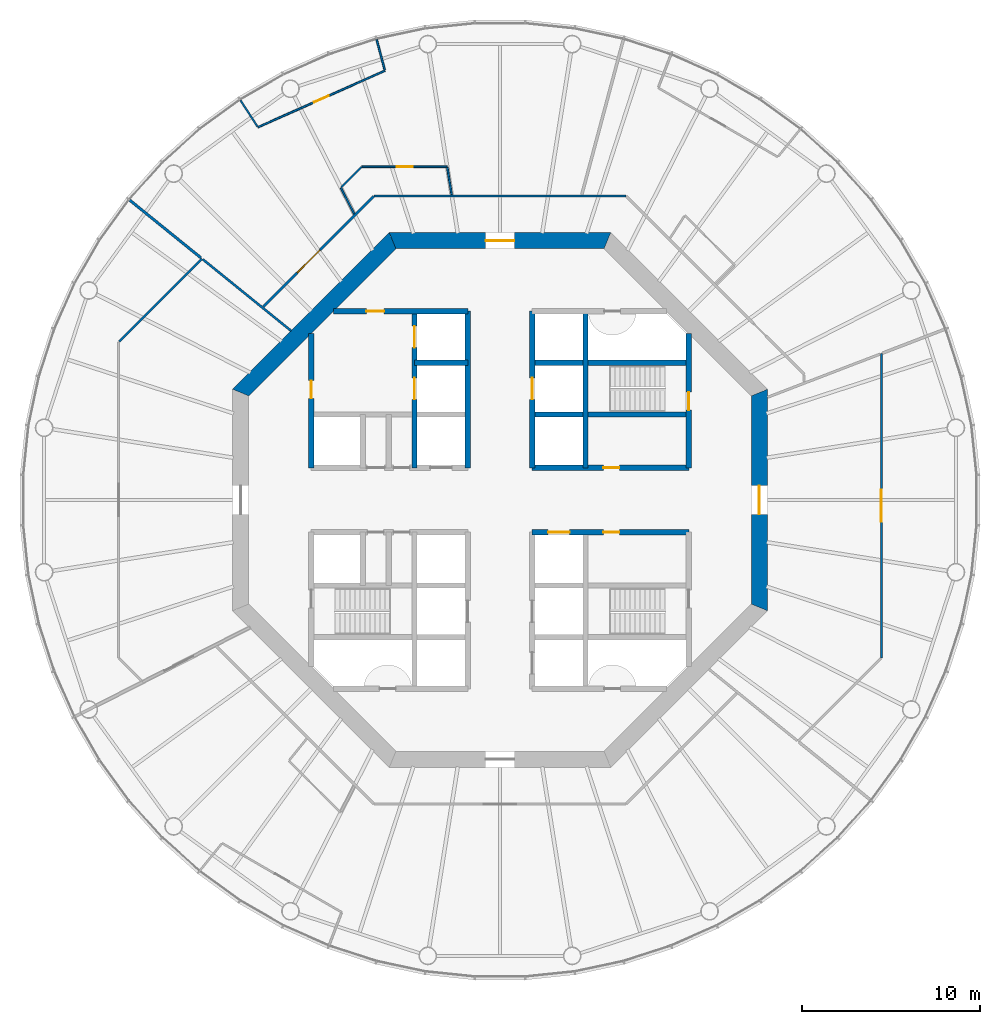
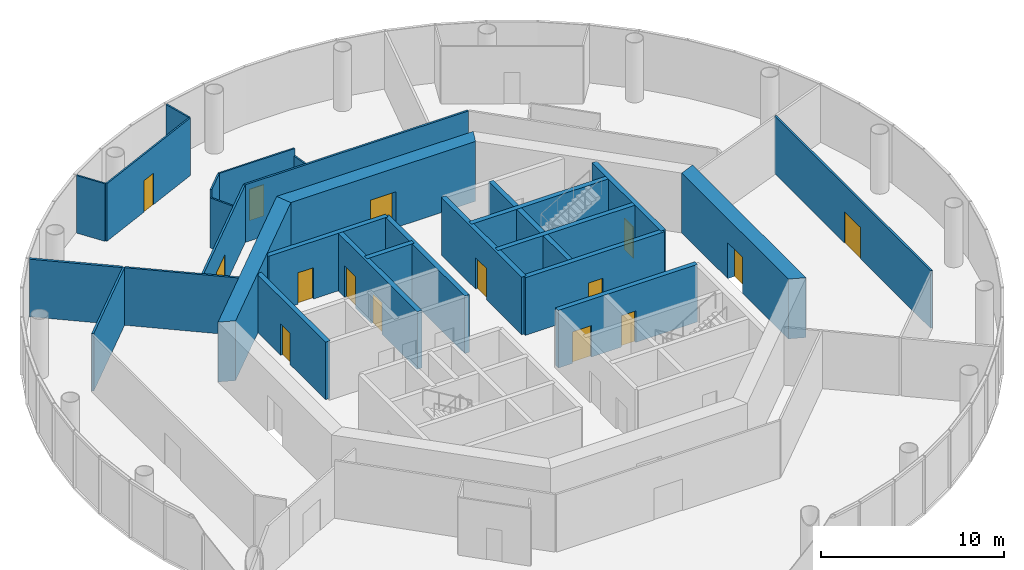
# One storey, part 4 of 12: 28 walls, 15 doors, 15 openings.
"""IFC4 building model written with IfcOpenShell, lengths in metres."""

from ifc_helpers import new_model, si_unit, direction, frame, frame_2d, origin, place, context, subcontext, project, spatial, polyline, rectangle, outline, extrude, material, layer, layer_set, type_object, element, fill, save


model = new_model("IFC4")

# Units and contexts
model_context = context("Model", 3, precision=1e-05, world=origin(), true_north=direction((0.0, 1.0)))
body_context = subcontext(model_context, "Body", "Model", "MODEL_VIEW")
ifc_project = project(units=[si_unit("LENGTHUNIT", "METRE"), si_unit("AREAUNIT", "SQUARE_METRE"), si_unit("VOLUMEUNIT", "CUBIC_METRE"), si_unit("PLANEANGLEUNIT", "RADIAN"), si_unit("MASSUNIT", "GRAM", prefix="KILO")], contexts=[model_context])

# Site, building, storey
site_placement = place(None, origin())
site = spatial("IfcSite", under=ifc_project, at=site_placement, CompositionType="ELEMENT")
building_placement = place(site_placement, origin())
building = spatial("IfcBuilding", under=site, at=building_placement, Name="Entoto Ring Tower", CompositionType="ELEMENT")
storey_placement = place(building_placement, frame((0.0, 0.0, 210.0)))
storey = spatial("IfcBuildingStorey", under=building, at=storey_placement, Name="L48", CompositionType="ELEMENT", Elevation=210.0)

# Wall, opening, door
ifc_material_1 = material(Name="Concrete C40/50", Category="concrete")
ifc_layer_1 = layer(ifc_material_1, 0.300048828125)
ifc_layer_set_1 = layer_set([ifc_layer_1], Name="Concrete C40/50")
wall_type_1 = type_object("IfcWallType", Name="Core enclosure wall 300 mm reinforced concrete", PredefinedType="SOLIDWALL", material=ifc_layer_set_1)
wall_1_placement = place(storey_placement, frame((100.60009765625, 81.800048828125, 0.0), z_axis=(0.0, 0.0, 1.0), x_axis=(0.0, 1.0, 0.0)))
wall_1 = element("IfcWall", 1, at=wall_1_placement, inside=storey, type_object=wall_type_1, Name="wall-L48-002", PredefinedType="SOLIDWALL", context=body_context, shape_type="SweptSolid", body=[
    extrude(rectangle(XDim=7.540283203125, YDim=0.300048828125, at=frame_2d((3.77001953125, 0.0))), origin(), (0.0, 0.0, 1.0), 3.85009765625),
])
opening_1_placement = place(wall_1_placement, frame((3.25, 0.0, 0.0)))
opening_1 = element("IfcOpeningElement", 2, at=opening_1_placement, cuts=wall_1, Name="Opening K-17", PredefinedType="OPENING", context=body_context, shape_type="SweptSolid", body=[
    extrude(rectangle(XDim=1.0, YDim=2.10009765625, at=frame_2d((0.5, 1.050048828125))), frame((0.0, 0.16015625, 0.0), z_axis=(0.0, -1.0, 0.0), x_axis=(1.0, 0.0, 0.0)), (0.0, 0.0, 1.0), 0.320068359375),
])
ifc_material_2 = material(Name="Steel door leaf, fire rated", Category="steel")
ifc_layer_2 = layer(ifc_material_2, 0.050048828125)
ifc_layer_set_2 = layer_set([ifc_layer_2], Name="Steel door leaf, fire rated")
door_type_1 = type_object("IfcDoorType", Name="Fire door FD60 1000 x 2100 single leaf", OperationType="NOTDEFINED", PredefinedType="DOOR", material=ifc_layer_set_2)
door_1_placement = place(opening_1_placement, origin())
door_1 = element("IfcDoor", 3, at=door_1_placement, inside=storey, type_object=door_type_1, Name="Door K-17", OperationType="SINGLE_SWING_LEFT", OverallHeight=2.10009765625, OverallWidth=1.0, PredefinedType="DOOR", context=body_context, shape_type="SweptSolid", body=[
    extrude(rectangle(XDim=1.0, YDim=2.10009765625, at=frame_2d((0.5, 1.050048828125))), frame((0.0, 0.02490234375, 0.0), z_axis=(0.0, -1.0, 0.0), x_axis=(1.0, 0.0, 0.0)), (0.0, 0.0, 1.0), 0.050048828125),
])
fill(opening_1, door_1)

# Wall
wall_2_placement = place(storey_placement, frame((94.800048828125, 81.800048828125, 0.0), z_axis=(0.0, 0.0, 1.0), x_axis=(0.0, 1.0, 0.0)))
element("IfcWall", 4, at=wall_2_placement, inside=storey, type_object=wall_type_1, Name="wall-L48-004", PredefinedType="SOLIDWALL", context=body_context, shape_type="SweptSolid", body=[
    extrude(rectangle(XDim=8.800048828125, YDim=0.300048828125, at=frame_2d((4.39990234375, 0.0))), origin(), (0.0, 0.0, 1.0), 3.85009765625),
])

# Wall, opening, door
wall_3_placement = place(storey_placement, frame((91.800048828125, 81.800048828125, 0.0), z_axis=(0.0, 0.0, 1.0), x_axis=(0.0, 1.0, 0.0)))
wall_3 = element("IfcWall", 5, at=wall_3_placement, inside=storey, type_object=wall_type_1, Name="wall-L48-006", PredefinedType="SOLIDWALL", context=body_context, shape_type="SweptSolid", body=[
    extrude(rectangle(XDim=8.800048828125, YDim=0.300048828125, at=frame_2d((4.39990234375, 0.0))), origin(), (0.0, 0.0, 1.0), 3.85009765625),
])
opening_2_placement = place(wall_3_placement, frame((3.85009765625, 0.0, 0.0)))
opening_2 = element("IfcOpeningElement", 6, at=opening_2_placement, cuts=wall_3, Name="Opening LD", PredefinedType="OPENING", context=body_context, shape_type="SweptSolid", body=[
    extrude(rectangle(XDim=1.199951171875, YDim=2.10009765625, at=frame_2d((0.60009765625, 1.050048828125))), frame((0.0, 0.16015625, 0.0), z_axis=(0.0, -1.0, 0.0), x_axis=(1.0, 0.0, 0.0)), (0.0, 0.0, 1.0), 0.320068359375),
])
ifc_material_3 = material(Name="Steel and glass door leaf", Category="steel")
ifc_layer_3 = layer(ifc_material_3, 0.050048828125)
ifc_layer_set_3 = layer_set([ifc_layer_3], Name="Steel and glass door leaf")
door_type_2 = type_object("IfcDoorType", Name="Landing door 1200 x 2100 sliding", OperationType="DOUBLE_DOOR_SLIDING", PredefinedType="DOOR", material=ifc_layer_set_3)
door_2_placement = place(opening_2_placement, origin())
door_2 = element("IfcDoor", 7, at=door_2_placement, inside=storey, type_object=door_type_2, Name="Landing door LB1-MR", OperationType="SLIDING_TO_RIGHT", OverallHeight=2.10009765625, OverallWidth=1.199951171875, PredefinedType="DOOR", context=body_context, shape_type="SweptSolid", body=[
    extrude(rectangle(XDim=1.199951171875, YDim=2.10009765625, at=frame_2d((0.60009765625, 1.050048828125))), frame((0.0, 0.02490234375, 0.0), z_axis=(0.0, -1.0, 0.0), x_axis=(1.0, 0.0, 0.0)), (0.0, 0.0, 1.0), 0.050048828125),
])
fill(opening_2, door_2)

# Wall
wall_4_placement = place(storey_placement, frame((88.199951171875, 81.800048828125, 0.0), z_axis=(0.0, 0.0, 1.0), x_axis=(0.0, 1.0, 0.0)))
element("IfcWall", 8, at=wall_4_placement, inside=storey, type_object=wall_type_1, Name="wall-L48-008", PredefinedType="SOLIDWALL", context=body_context, shape_type="SweptSolid", body=[
    extrude(rectangle(XDim=8.800048828125, YDim=0.300048828125, at=frame_2d((4.39990234375, 0.0))), origin(), (0.0, 0.0, 1.0), 3.85009765625),
])

# Wall, openings, doors
wall_5_placement = place(storey_placement, frame((85.199951171875, 81.800048828125, 0.0), z_axis=(0.0, 0.0, 1.0), x_axis=(0.0, 1.0, 0.0)))
wall_5 = element("IfcWall", 9, at=wall_5_placement, inside=storey, type_object=wall_type_1, Name="wall-L48-010", PredefinedType="SOLIDWALL", context=body_context, shape_type="SweptSolid", body=[
    extrude(rectangle(XDim=8.800048828125, YDim=0.300048828125, at=frame_2d((4.39990234375, 0.0))), origin(), (0.0, 0.0, 1.0), 3.85009765625),
])
opening_3_placement = place(wall_5_placement, frame((3.85009765625, 0.0, 0.0)))
opening_3 = element("IfcOpeningElement", 10, at=opening_3_placement, cuts=wall_5, Name="Opening LD", PredefinedType="OPENING", context=body_context, shape_type="SweptSolid", body=[
    extrude(rectangle(XDim=1.199951171875, YDim=2.10009765625, at=frame_2d((0.60009765625, 1.050048828125))), frame((0.0, 0.16015625, 0.0), z_axis=(0.0, -1.0, 0.0), x_axis=(1.0, 0.0, 0.0)), (0.0, 0.0, 1.0), 0.320068359375),
])
opening_4_placement = place(wall_5_placement, frame((6.75, 0.0, 0.0)))
opening_4 = element("IfcOpeningElement", 11, at=opening_4_placement, cuts=wall_5, Name="Opening LD", PredefinedType="OPENING", context=body_context, shape_type="SweptSolid", body=[
    extrude(rectangle(XDim=1.199951171875, YDim=2.10009765625, at=frame_2d((0.60009765625, 1.050048828125))), frame((0.0, 0.16015625, 0.0), z_axis=(0.0, -1.0, 0.0), x_axis=(1.0, 0.0, 0.0)), (0.0, 0.0, 1.0), 0.320068359375),
])
door_3_placement = place(opening_3_placement, origin())
door_3 = element("IfcDoor", 12, at=door_3_placement, inside=storey, type_object=door_type_2, Name="Landing door FF1", OperationType="SLIDING_TO_RIGHT", OverallHeight=2.10009765625, OverallWidth=1.199951171875, PredefinedType="DOOR", context=body_context, shape_type="SweptSolid", body=[
    extrude(rectangle(XDim=1.199951171875, YDim=2.10009765625, at=frame_2d((0.60009765625, 1.050048828125))), frame((0.0, 0.02490234375, 0.0), z_axis=(0.0, -1.0, 0.0), x_axis=(1.0, 0.0, 0.0)), (0.0, 0.0, 1.0), 0.050048828125),
])
fill(opening_3, door_3)
door_4_placement = place(opening_4_placement, origin())
door_4 = element("IfcDoor", 13, at=door_4_placement, inside=storey, type_object=door_type_2, Name="Landing door FF2", OperationType="SLIDING_TO_RIGHT", OverallHeight=2.10009765625, OverallWidth=1.199951171875, PredefinedType="DOOR", context=body_context, shape_type="SweptSolid", body=[
    extrude(rectangle(XDim=1.199951171875, YDim=2.10009765625, at=frame_2d((0.60009765625, 1.050048828125))), frame((0.0, 0.02490234375, 0.0), z_axis=(0.0, -1.0, 0.0), x_axis=(1.0, 0.0, 0.0)), (0.0, 0.0, 1.0), 0.050048828125),
])
fill(opening_4, door_4)

# Wall, opening, door
wall_6_placement = place(storey_placement, frame((79.39990234375, 81.800048828125, 0.0), z_axis=(0.0, 0.0, 1.0), x_axis=(0.0, 1.0, 0.0)))
wall_6 = element("IfcWall", 14, at=wall_6_placement, inside=storey, type_object=wall_type_1, Name="wall-L48-016", PredefinedType="SOLIDWALL", context=body_context, shape_type="SweptSolid", body=[
    extrude(rectangle(XDim=7.540283203125, YDim=0.300048828125, at=frame_2d((3.77001953125, 0.0))), origin(), (0.0, 0.0, 1.0), 3.85009765625),
])
opening_5_placement = place(wall_6_placement, frame((3.89990234375, 0.0, 0.0)))
opening_5 = element("IfcOpeningElement", 15, at=opening_5_placement, cuts=wall_6, Name="Opening K-23", PredefinedType="OPENING", context=body_context, shape_type="SweptSolid", body=[
    extrude(rectangle(XDim=1.0, YDim=2.10009765625, at=frame_2d((0.5, 1.050048828125))), frame((0.0, 0.16015625, 0.0), z_axis=(0.0, -1.0, 0.0), x_axis=(1.0, 0.0, 0.0)), (0.0, 0.0, 1.0), 0.320068359375),
])
door_5_placement = place(opening_5_placement, frame((1.0, 0.0, 0.0), z_axis=(0.0, 0.0, 1.0), x_axis=(-1.0, 0.0, 0.0)))
door_5 = element("IfcDoor", 16, at=door_5_placement, inside=storey, type_object=door_type_1, Name="Door K-23", OperationType="SINGLE_SWING_RIGHT", OverallHeight=2.10009765625, OverallWidth=1.0, PredefinedType="DOOR", context=body_context, shape_type="SweptSolid", body=[
    extrude(rectangle(XDim=1.0, YDim=2.10009765625, at=frame_2d((0.5, 1.050048828125))), frame((0.0, 0.02490234375, 0.0), z_axis=(0.0, -1.0, 0.0), x_axis=(1.0, 0.0, 0.0)), (0.0, 0.0, 1.0), 0.050048828125),
])
fill(opening_5, door_5)

# Wall, openings, doors
wall_7_placement = place(storey_placement, frame((91.800048828125, 78.199951171875, 0.0), z_axis=(0.0, 0.0, 1.0), x_axis=(1.0, 0.0, 0.0)))
wall_7 = element("IfcWall", 17, at=wall_7_placement, inside=storey, type_object=wall_type_1, Name="wall-L48-024", PredefinedType="SOLIDWALL", context=body_context, shape_type="SweptSolid", body=[
    extrude(rectangle(XDim=8.800048828125, YDim=0.300048828125, at=frame_2d((4.39990234375, 0.0))), origin(), (0.0, 0.0, 1.0), 3.85009765625),
])
opening_6_placement = place(wall_7_placement, frame((0.89990234375, 0.0, 0.0)))
opening_6 = element("IfcOpeningElement", 18, at=opening_6_placement, cuts=wall_7, Name="Opening LD", PredefinedType="OPENING", context=body_context, shape_type="SweptSolid", body=[
    extrude(rectangle(XDim=1.199951171875, YDim=2.10009765625, at=frame_2d((0.60009765625, 1.050048828125))), frame((0.0, 0.16015625, 0.0), z_axis=(0.0, -1.0, 0.0), x_axis=(1.0, 0.0, 0.0)), (0.0, 0.0, 1.0), 0.320068359375),
])
opening_7_placement = place(wall_7_placement, frame((4.0, 0.0, 0.0)))
opening_7 = element("IfcOpeningElement", 19, at=opening_7_placement, cuts=wall_7, Name="Opening K-12", PredefinedType="OPENING", context=body_context, shape_type="SweptSolid", body=[
    extrude(rectangle(XDim=0.89990234375, YDim=2.10009765625, at=frame_2d((0.449951171875, 1.050048828125))), frame((0.0, 0.16015625, 0.0), z_axis=(0.0, -1.0, 0.0), x_axis=(1.0, 0.0, 0.0)), (0.0, 0.0, 1.0), 0.320068359375),
])
ifc_material_4 = material(Name="Steel door leaf, fire rated", Category="steel")
ifc_layer_4 = layer(ifc_material_4, 0.050048828125)
ifc_layer_set_4 = layer_set([ifc_layer_4], Name="Steel door leaf, fire rated")
door_type_3 = type_object("IfcDoorType", Name="Core door 900 x 2100 single leaf", OperationType="NOTDEFINED", PredefinedType="DOOR", material=ifc_layer_set_4)
door_6_placement = place(opening_7_placement, frame((0.89990234375, 0.0, 0.0), z_axis=(0.0, 0.0, 1.0), x_axis=(-1.0, 0.0, 0.0)))
door_6 = element("IfcDoor", 20, at=door_6_placement, inside=storey, type_object=door_type_3, Name="Door K-12", OperationType="SINGLE_SWING_RIGHT", OverallHeight=2.10009765625, OverallWidth=0.89990234375, PredefinedType="DOOR", context=body_context, shape_type="SweptSolid", body=[
    extrude(rectangle(XDim=0.89990234375, YDim=2.10009765625, at=frame_2d((0.449951171875, 1.050048828125))), frame((0.0, 0.02490234375, 0.0), z_axis=(0.0, -1.0, 0.0), x_axis=(1.0, 0.0, 0.0)), (0.0, 0.0, 1.0), 0.050048828125),
])
fill(opening_7, door_6)
door_7_placement = place(opening_6_placement, origin())
door_7 = element("IfcDoor", 21, at=door_7_placement, inside=storey, type_object=door_type_2, Name="Landing door LB6-MR", OperationType="SLIDING_TO_LEFT", OverallHeight=2.10009765625, OverallWidth=1.199951171875, PredefinedType="DOOR", context=body_context, shape_type="SweptSolid", body=[
    extrude(rectangle(XDim=1.199951171875, YDim=2.10009765625, at=frame_2d((0.60009765625, 1.050048828125))), frame((0.0, 0.02490234375, 0.0), z_axis=(0.0, -1.0, 0.0), x_axis=(1.0, 0.0, 0.0)), (0.0, 0.0, 1.0), 0.050048828125),
])
fill(opening_6, door_7)

# Wall, opening, door
wall_8_placement = place(storey_placement, frame((91.800048828125, 81.800048828125, 0.0), z_axis=(0.0, 0.0, 1.0), x_axis=(1.0, 0.0, 0.0)))
wall_8 = element("IfcWall", 22, at=wall_8_placement, inside=storey, type_object=wall_type_1, Name="wall-L48-026", PredefinedType="SOLIDWALL", context=body_context, shape_type="SweptSolid", body=[
    extrude(rectangle(XDim=8.800048828125, YDim=0.300048828125, at=frame_2d((4.39990234375, 0.0))), origin(), (0.0, 0.0, 1.0), 3.85009765625),
])
opening_8_placement = place(wall_8_placement, frame((4.0, 0.0, 0.0)))
opening_8 = element("IfcOpeningElement", 23, at=opening_8_placement, cuts=wall_8, Name="Opening K-11", PredefinedType="OPENING", context=body_context, shape_type="SweptSolid", body=[
    extrude(rectangle(XDim=0.89990234375, YDim=2.10009765625, at=frame_2d((0.449951171875, 1.050048828125))), frame((0.0, 0.16015625, 0.0), z_axis=(0.0, -1.0, 0.0), x_axis=(1.0, 0.0, 0.0)), (0.0, 0.0, 1.0), 0.320068359375),
])
door_8_placement = place(opening_8_placement, origin())
door_8 = element("IfcDoor", 24, at=door_8_placement, inside=storey, type_object=door_type_3, Name="Door K-11", OperationType="SINGLE_SWING_LEFT", OverallHeight=2.10009765625, OverallWidth=0.89990234375, PredefinedType="DOOR", context=body_context, shape_type="SweptSolid", body=[
    extrude(rectangle(XDim=0.89990234375, YDim=2.10009765625, at=frame_2d((0.449951171875, 1.050048828125))), frame((0.0, 0.02490234375, 0.0), z_axis=(0.0, -1.0, 0.0), x_axis=(1.0, 0.0, 0.0)), (0.0, 0.0, 1.0), 0.050048828125),
])
fill(opening_8, door_8)

# Walls
wall_9_placement = place(storey_placement, frame((91.800048828125, 84.800048828125, 0.0), z_axis=(0.0, 0.0, 1.0), x_axis=(1.0, 0.0, 0.0)))
element("IfcWall", 25, at=wall_9_placement, inside=storey, type_object=wall_type_1, Name="wall-L48-028", PredefinedType="SOLIDWALL", context=body_context, shape_type="SweptSolid", body=[
    extrude(rectangle(XDim=8.800048828125, YDim=0.300048828125, at=frame_2d((4.39990234375, 0.0))), origin(), (0.0, 0.0, 1.0), 3.85009765625),
])
wall_10_placement = place(storey_placement, frame((85.199951171875, 87.699951171875, 0.0), z_axis=(0.0, 0.0, 1.0), x_axis=(1.0, 0.0, 0.0)))
element("IfcWall", 26, at=wall_10_placement, inside=storey, type_object=wall_type_1, Name="wall-L48-029", PredefinedType="SOLIDWALL", context=body_context, shape_type="SweptSolid", body=[
    extrude(rectangle(XDim=3.0, YDim=0.300048828125, at=frame_2d((1.5, 0.0))), origin(), (0.0, 0.0, 1.0), 3.85009765625),
])
wall_11_placement = place(storey_placement, frame((91.800048828125, 87.699951171875, 0.0), z_axis=(0.0, 0.0, 1.0), x_axis=(1.0, 0.0, 0.0)))
element("IfcWall", 27, at=wall_11_placement, inside=storey, type_object=wall_type_1, Name="wall-L48-030", PredefinedType="SOLIDWALL", context=body_context, shape_type="SweptSolid", body=[
    extrude(rectangle(XDim=8.800048828125, YDim=0.300048828125, at=frame_2d((4.39990234375, 0.0))), origin(), (0.0, 0.0, 1.0), 3.85009765625),
])

# Wall, opening, door
wall_12_placement = place(storey_placement, frame((80.65966796875, 90.60009765625, 0.0), z_axis=(0.0, 0.0, 1.0), x_axis=(1.0, 0.0, 0.0)))
wall_12 = element("IfcWall", 28, at=wall_12_placement, inside=storey, type_object=wall_type_1, Name="wall-L48-031", PredefinedType="SOLIDWALL", context=body_context, shape_type="SweptSolid", body=[
    extrude(rectangle(XDim=7.540283203125, YDim=0.300048828125, at=frame_2d((3.77001953125, 0.0))), origin(), (0.0, 0.0, 1.0), 3.85009765625),
])
opening_9_placement = place(wall_12_placement, frame((1.84033203125, 0.0, 0.0)))
opening_9 = element("IfcOpeningElement", 29, at=opening_9_placement, cuts=wall_12, Name="Opening K-73", PredefinedType="OPENING", context=body_context, shape_type="SweptSolid", body=[
    extrude(rectangle(XDim=1.0, YDim=2.10009765625, at=frame_2d((0.5, 1.050048828125))), frame((0.0, 0.16015625, 0.0), z_axis=(0.0, -1.0, 0.0), x_axis=(1.0, 0.0, 0.0)), (0.0, 0.0, 1.0), 0.320068359375),
])
door_9_placement = place(opening_9_placement, frame((1.0, 0.0, 0.0), z_axis=(0.0, 0.0, 1.0), x_axis=(-1.0, 0.0, 0.0)))
door_9 = element("IfcDoor", 30, at=door_9_placement, inside=storey, type_object=door_type_1, Name="Door K-73", OperationType="SINGLE_SWING_LEFT", OverallHeight=2.10009765625, OverallWidth=1.0, PredefinedType="DOOR", context=body_context, shape_type="SweptSolid", body=[
    extrude(rectangle(XDim=1.0, YDim=2.10009765625, at=frame_2d((0.5, 1.050048828125))), frame((0.0, 0.02490234375, 0.0), z_axis=(0.0, -1.0, 0.0), x_axis=(1.0, 0.0, 0.0)), (0.0, 0.0, 1.0), 0.050048828125),
])
fill(opening_9, door_9)

ifc_material_5 = material(Name="Concrete C50/60", Category="concrete")
ifc_layer_5 = layer(ifc_material_5, 0.89990234375)
ifc_layer_set_5 = layer_set([ifc_layer_5], Name="Concrete C50/60")
wall_type_2 = type_object("IfcWallType", Name="Core shear wall 900 mm reinforced concrete C50/60", PredefinedType="SHEAR", material=ifc_layer_set_5)
wall_13_placement = place(storey_placement, frame((104.550048828125, 73.97314453125, 0.0), z_axis=(0.0, 0.0, 1.0), x_axis=(0.0, 1.0, 0.0)))
wall_13 = element("IfcWall", 31, at=wall_13_placement, inside=storey, type_object=wall_type_2, Name="wall-L48-core-0", PredefinedType="SHEAR", context=body_context, shape_type="SweptSolid", body=[
    extrude(outline(polyline([(-0.186279296875, -0.449951171875), (12.239990234375, -0.449951171875), (11.867431640625, 0.449951171875), (0.186279296875, 0.449951171875), (-0.186279296875, -0.449951171875)])), origin(), (0.0, 0.0, 1.0), 4.0),
])
opening_10_placement = place(wall_13_placement, frame((5.226806640625, 0.0, 0.0)))
opening_10 = element("IfcOpeningElement", 32, at=opening_10_placement, cuts=wall_13, Name="Opening K-01", PredefinedType="OPENING", context=body_context, shape_type="SweptSolid", body=[
    extrude(rectangle(XDim=1.60009765625, YDim=2.39990234375, at=frame_2d((0.800048828125, 1.199951171875))), frame((0.0, 0.4599609375, 0.0), z_axis=(0.0, -1.0, 0.0), x_axis=(1.0, 0.0, 0.0)), (0.0, 0.0, 1.0), 0.919921875),
])
ifc_material_6 = material(Name="Steel door leaf, fire rated", Category="steel")
ifc_layer_6 = layer(ifc_material_6, 0.050048828125)
ifc_layer_set_6 = layer_set([ifc_layer_6], Name="Steel door leaf, fire rated")
door_type_4 = type_object("IfcDoorType", Name="Entrance door FD60 1600 x 2400 double leaf", OperationType="DOUBLE_DOOR_SINGLE_SWING", PredefinedType="DOOR", material=ifc_layer_set_6)
door_10_placement = place(opening_10_placement, origin())
door_10 = element("IfcDoor", 33, at=door_10_placement, inside=storey, type_object=door_type_4, Name="Entrance door K-01", OperationType="DOUBLE_DOOR_SINGLE_SWING", OverallHeight=2.39990234375, OverallWidth=1.60009765625, PredefinedType="DOOR", context=body_context, shape_type="SweptSolid", body=[
    extrude(rectangle(XDim=1.60009765625, YDim=2.39990234375, at=frame_2d((0.800048828125, 1.199951171875))), frame((0.0, 0.02490234375, 0.0), z_axis=(0.0, -1.0, 0.0), x_axis=(1.0, 0.0, 0.0)), (0.0, 0.0, 1.0), 0.050048828125),
])
fill(opening_10, door_10)

wall_14_placement = place(storey_placement, frame((96.02685546875, 94.550048828125, 0.0), z_axis=(0.0, 0.0, 1.0), x_axis=(-1.0, 0.0, 0.0)))
wall_14 = element("IfcWall", 34, at=wall_14_placement, inside=storey, type_object=wall_type_2, Name="wall-L48-core-2", PredefinedType="SHEAR", context=body_context, shape_type="SweptSolid", body=[
    extrude(outline(polyline([(-0.186279296875, -0.449951171875), (12.239990234375, -0.449951171875), (11.867431640625, 0.449951171875), (0.186279296875, 0.449951171875), (-0.186279296875, -0.449951171875)])), origin(), (0.0, 0.0, 1.0), 4.0),
])
opening_11_placement = place(wall_14_placement, frame((5.226806640625, 0.0, 0.0)))
opening_11 = element("IfcOpeningElement", 35, at=opening_11_placement, cuts=wall_14, Name="Opening K-02", PredefinedType="OPENING", context=body_context, shape_type="SweptSolid", body=[
    extrude(rectangle(XDim=1.60009765625, YDim=2.39990234375, at=frame_2d((0.800048828125, 1.199951171875))), frame((0.0, 0.4599609375, 0.0), z_axis=(0.0, -1.0, 0.0), x_axis=(1.0, 0.0, 0.0)), (0.0, 0.0, 1.0), 0.919921875),
])
door_11_placement = place(opening_11_placement, origin())
door_11 = element("IfcDoor", 36, at=door_11_placement, inside=storey, type_object=door_type_4, Name="Entrance door K-02", OperationType="DOUBLE_DOOR_SINGLE_SWING", OverallHeight=2.39990234375, OverallWidth=1.60009765625, PredefinedType="DOOR", context=body_context, shape_type="SweptSolid", body=[
    extrude(rectangle(XDim=1.60009765625, YDim=2.39990234375, at=frame_2d((0.800048828125, 1.199951171875))), frame((0.0, 0.02490234375, 0.0), z_axis=(0.0, -1.0, 0.0), x_axis=(1.0, 0.0, 0.0)), (0.0, 0.0, 1.0), 0.050048828125),
])
fill(opening_11, door_11)

# Wall
wall_15_placement = place(storey_placement, frame((83.97314453125, 94.550048828125, 0.0), z_axis=(0.0, 0.0, 1.0), x_axis=(-0.707106781187, -0.707106781187, 0.0)))
element("IfcWall", 37, at=wall_15_placement, inside=storey, type_object=wall_type_2, Name="wall-L48-core-3", PredefinedType="SHEAR", context=body_context, shape_type="SweptSolid", body=[
    extrude(outline(polyline([(-0.186279296875, -0.449951171875), (12.239990234375, -0.449951171875), (11.867431640625, 0.449951171875), (0.186279296875, 0.449951171875), (-0.186279296875, -0.449951171875)])), origin(), (0.0, 0.0, 1.0), 4.0),
])

# Wall, opening, door
ifc_material_7 = material(Name="Fire-resisting plasterboard on steel studs", Category="steel")
ifc_layer_7 = layer(ifc_material_7, 0.125)
ifc_layer_set_7 = layer_set([ifc_layer_7], Name="Fire-resisting plasterboard on steel studs")
wall_type_3 = type_object("IfcWallType", Name="Corridor wall 125 mm one-hour plasterboard on steel studs", PredefinedType="PARTITIONING", material=ifc_layer_set_7)
wall_16_placement = place(storey_placement, frame((111.39990234375, 71.1357421875, 0.0), z_axis=(0.0, 0.0, 1.0), x_axis=(0.0, 1.0, 0.0)))
wall_16 = element("IfcWall", 38, at=wall_16_placement, inside=storey, type_object=wall_type_3, Name="partition-L48-002", PredefinedType="PARTITIONING", context=body_context, shape_type="SweptSolid", body=[
    extrude(rectangle(XDim=17.078857421875, YDim=0.125, at=frame_2d((8.53955078125, 0.0))), origin(), (0.0, 0.0, 1.0), 3.85009765625),
])
opening_12_placement = place(wall_16_placement, frame((7.639404296875, 0.0, 0.0)))
opening_12 = element("IfcOpeningElement", 39, at=opening_12_placement, cuts=wall_16, Name="Opening A21-D01", PredefinedType="OPENING", context=body_context, shape_type="SweptSolid", body=[
    extrude(rectangle(XDim=1.800048828125, YDim=2.10009765625, at=frame_2d((0.89990234375, 1.050048828125))), frame((0.0, 0.072509765625, 0.0), z_axis=(0.0, -1.0, 0.0), x_axis=(1.0, 0.0, 0.0)), (0.0, 0.0, 1.0), 0.14501953125),
])
ifc_material_8 = material(Name="Fire-resisting timber door set", Category="wood")
door_type_5 = type_object("IfcDoorType", Name="Door 1800 x 2100 double leaf FD30S fire door", OperationType="DOUBLE_DOOR_SINGLE_SWING", PredefinedType="DOOR", material=ifc_material_8)
door_12_placement = place(opening_12_placement, frame((1.800048828125, 0.0, 0.0), z_axis=(0.0, 0.0, 1.0), x_axis=(-1.0, 0.0, 0.0)))
door_12 = element("IfcDoor", 40, at=door_12_placement, inside=storey, type_object=door_type_5, Name="Door A21-D01", OperationType="DOUBLE_DOOR_SINGLE_SWING", OverallHeight=2.10009765625, OverallWidth=1.800048828125, PredefinedType="DOOR", context=body_context, shape_type="SweptSolid", body=[
    extrude(rectangle(XDim=1.800048828125, YDim=2.10009765625, at=frame_2d((0.89990234375, 1.050048828125))), frame((0.0, 0.02490234375, 0.0), z_axis=(0.0, -1.0, 0.0), x_axis=(1.0, 0.0, 0.0)), (0.0, 0.0, 1.0), 0.050048828125),
])
fill(opening_12, door_12)

# Wall
wall_17_placement = place(storey_placement, frame((82.9326171875, 97.0625, 0.0), z_axis=(0.0, 0.0, 1.0), x_axis=(1.0, 0.0, 0.0)))
element("IfcWall", 41, at=wall_17_placement, inside=storey, type_object=wall_type_3, Name="partition-L48-004", PredefinedType="PARTITIONING", context=body_context, shape_type="SweptSolid", body=[
    extrude(rectangle(XDim=14.134765625, YDim=0.125, at=frame_2d((7.0673828125, 0.0))), origin(), (0.0, 0.0, 1.0), 3.85009765625),
])

# Wall, opening, door
wall_18_placement = place(storey_placement, frame((76.716064453125, 90.845947265625, 0.0), z_axis=(0.0, 0.0, 1.0), x_axis=(0.707092826187, 0.70712073591, 0.0)))
wall_18 = element("IfcWall", 42, at=wall_18_placement, inside=storey, type_object=wall_type_3, Name="partition-L48-007", PredefinedType="PARTITIONING", context=body_context, shape_type="SweptSolid", body=[
    extrude(rectangle(XDim=8.74755859375, YDim=0.125, at=frame_2d((4.373779296875, 0.0))), origin(), (0.0, 0.0, 1.0), 3.85009765625),
])
opening_13_placement = place(wall_18_placement, frame((2.69921875, 0.0, 0.0)))
opening_13 = element("IfcOpeningElement", 43, at=opening_13_placement, cuts=wall_18, Name="Opening A21-D06", PredefinedType="OPENING", context=body_context, shape_type="SweptSolid", body=[
    extrude(rectangle(XDim=1.800048828125, YDim=2.10009765625, at=frame_2d((0.89990234375, 1.050048828125))), frame((0.0, 0.072509765625, 0.0), z_axis=(0.0, -1.0, 0.0), x_axis=(1.0, 0.0, 0.0)), (0.0, 0.0, 1.0), 0.14501953125),
])
door_13_placement = place(opening_13_placement, origin())
door_13 = element("IfcDoor", 44, at=door_13_placement, inside=storey, type_object=door_type_5, Name="Door A21-D06", OperationType="DOUBLE_DOOR_SINGLE_SWING", OverallHeight=2.10009765625, OverallWidth=1.800048828125, PredefinedType="DOOR", context=body_context, shape_type="SweptSolid", body=[
    extrude(rectangle(XDim=1.800048828125, YDim=2.10009765625, at=frame_2d((0.89990234375, 1.050048828125))), frame((0.0, 0.02490234375, 0.0), z_axis=(0.0, -1.0, 0.0), x_axis=(1.0, 0.0, 0.0)), (0.0, 0.0, 1.0), 0.050048828125),
])
fill(opening_13, door_13)

# Walls
wall_19_placement = place(storey_placement, frame((68.631103515625, 88.895263671875, 0.0), z_axis=(0.0, 0.0, 1.0), x_axis=(0.707125358217, 0.707088203668, 0.0)))
element("IfcWall", 45, at=wall_19_placement, inside=storey, type_object=wall_type_3, Name="partition-L48-011", PredefinedType="PARTITIONING", context=body_context, shape_type="SweptSolid", body=[
    extrude(rectangle(XDim=6.571044921875, YDim=0.125, at=frame_2d((3.28564453125, 0.0))), origin(), (0.0, 0.0, 1.0), 3.85009765625),
])
wall_20_placement = place(storey_placement, frame((78.278564453125, 89.49169921875, 0.0), z_axis=(0.0, 0.0, 1.0), x_axis=(-0.777147622925, 0.629318339302, 0.0)))
element("IfcWall", 46, at=wall_20_placement, inside=storey, type_object=wall_type_3, Name="partition-L48-014", PredefinedType="PARTITIONING", context=body_context, shape_type="SweptSolid", body=[
    extrude(rectangle(XDim=6.373046875, YDim=0.125, at=frame_2d((3.1865234375, 0.0))), origin(), (0.0, 0.0, 1.0), 3.85009765625),
])

# Wall, opening, door
ifc_material_9 = material(Name="Plasterboard on steel studs", Category="steel")
ifc_layer_8 = layer(ifc_material_9, 0.10009765625)
ifc_layer_set_8 = layer_set([ifc_layer_8], Name="Plasterboard on steel studs")
wall_type_4 = type_object("IfcWallType", Name="Partition 100 mm plasterboard on steel studs", PredefinedType="PARTITIONING", material=ifc_layer_set_8)
wall_21_placement = place(storey_placement, frame((76.416748046875, 100.91650390625, 0.0), z_axis=(0.0, 0.0, 1.0), x_axis=(0.913554608745, 0.406716088741, 0.0)))
wall_21 = element("IfcWall", 47, at=wall_21_placement, inside=storey, type_object=wall_type_4, Name="partition-L48-022", PredefinedType="PARTITIONING", context=body_context, shape_type="SweptSolid", body=[
    extrude(rectangle(XDim=7.802978515625, YDim=0.10009765625, at=frame_2d((3.9013671875, 0.0))), origin(), (0.0, 0.0, 1.0), 3.85009765625),
])
opening_14_placement = place(wall_21_placement, frame((3.451416015625, 0.0, 0.0)))
opening_14 = element("IfcOpeningElement", 48, at=opening_14_placement, cuts=wall_21, Name="Opening A21-D08", PredefinedType="OPENING", context=body_context, shape_type="SweptSolid", body=[
    extrude(rectangle(XDim=0.89990234375, YDim=2.10009765625, at=frame_2d((0.449951171875, 1.050048828125))), frame((0.0, 0.06005859375, 0.0), z_axis=(0.0, -1.0, 0.0), x_axis=(1.0, 0.0, 0.0)), (0.0, 0.0, 1.0), 0.1201171875),
])
ifc_material_10 = material(Name="Veneered timber door leaf in timber frame", Category="wood")
door_type_6 = type_object("IfcDoorType", Name="Door 900 x 2100 single leaf timber veneer", OperationType="NOTDEFINED", PredefinedType="DOOR", material=ifc_material_10)
door_14_placement = place(opening_14_placement, origin())
door_14 = element("IfcDoor", 49, at=door_14_placement, inside=storey, type_object=door_type_6, Name="Door A21-D08", OperationType="SINGLE_SWING_LEFT", OverallHeight=2.10009765625, OverallWidth=0.89990234375, PredefinedType="DOOR", context=body_context, shape_type="SweptSolid", body=[
    extrude(rectangle(XDim=0.89990234375, YDim=2.10009765625, at=frame_2d((0.449951171875, 1.050048828125))), frame((0.0, 0.02490234375, 0.0), z_axis=(0.0, -1.0, 0.0), x_axis=(1.0, 0.0, 0.0)), (0.0, 0.0, 1.0), 0.050048828125),
])
fill(opening_14, door_14)

wall_22_placement = place(storey_placement, frame((82.253173828125, 98.702392578125, 0.0), z_axis=(0.0, 0.0, 1.0), x_axis=(1.0, 0.0, 0.0)))
wall_22 = element("IfcWall", 50, at=wall_22_placement, inside=storey, type_object=wall_type_4, Name="partition-L48-025", PredefinedType="PARTITIONING", context=body_context, shape_type="SweptSolid", body=[
    extrude(rectangle(XDim=4.78466796875, YDim=0.10009765625, at=frame_2d((2.392333984375, 0.0))), origin(), (0.0, 0.0, 1.0), 3.85009765625),
])
opening_15_placement = place(wall_22_placement, frame((1.9423828125, 0.0, 0.0)))
opening_15 = element("IfcOpeningElement", 51, at=opening_15_placement, cuts=wall_22, Name="Opening A21-D07", PredefinedType="OPENING", context=body_context, shape_type="SweptSolid", body=[
    extrude(rectangle(XDim=0.89990234375, YDim=2.10009765625, at=frame_2d((0.449951171875, 1.050048828125))), frame((0.0, 0.06005859375, 0.0), z_axis=(0.0, -1.0, 0.0), x_axis=(1.0, 0.0, 0.0)), (0.0, 0.0, 1.0), 0.1201171875),
])
door_15_placement = place(opening_15_placement, frame((0.89990234375, 0.0, 0.0), z_axis=(0.0, 0.0, 1.0), x_axis=(-1.0, 0.0, 0.0)))
door_15 = element("IfcDoor", 52, at=door_15_placement, inside=storey, type_object=door_type_6, Name="Door A21-D07", OperationType="SINGLE_SWING_LEFT", OverallHeight=2.10009765625, OverallWidth=0.89990234375, PredefinedType="DOOR", context=body_context, shape_type="SweptSolid", body=[
    extrude(rectangle(XDim=0.89990234375, YDim=2.10009765625, at=frame_2d((0.449951171875, 1.050048828125))), frame((0.0, 0.02490234375, 0.0), z_axis=(0.0, -1.0, 0.0), x_axis=(1.0, 0.0, 0.0)), (0.0, 0.0, 1.0), 0.050048828125),
])
fill(opening_15, door_15)

# Walls
for number, where, z_axis, x_axis, name in (
    (53, (83.5322265625, 104.1376953125, 0.0), (0.0, 0.0, 1.0), (-0.258808109148, 0.965928756503, 0.0), "partition-L48-032"),
    (54, (76.389892578125, 100.957763671875, 0.0), (0.0, 0.0, 1.0), (-0.544684420792, 0.838641092331, 0.0), "partition-L48-033"),
):
    element("IfcWall", number, at=place(storey_placement, frame(where, z_axis=z_axis, x_axis=x_axis)), inside=storey, type_object=wall_type_4, Name=name, PredefinedType="PARTITIONING", context=body_context, shape_type="SweptSolid", body=[
        extrude(rectangle(XDim=1.750732421875, YDim=0.10009765625, at=frame_2d((0.87548828125, 0.0))), origin(), (0.0, 0.0, 1.0), 3.85009765625),
    ])
wall_23_placement = place(storey_placement, frame((81.105712890625, 97.55517578125, 0.0), z_axis=(0.0, 0.0, 1.0), x_axis=(0.707106781187, 0.707106781187, 0.0)))
element("IfcWall", 55, at=wall_23_placement, inside=storey, type_object=wall_type_4, Name="partition-L48-036", PredefinedType="PARTITIONING", context=body_context, shape_type="SweptSolid", body=[
    extrude(rectangle(XDim=1.587646484375, YDim=0.10009765625, at=frame_2d((0.7939453125, 0.0))), origin(), (0.0, 0.0, 1.0), 3.85009765625),
])
ifc_material_11 = material(Name="Plasterboard on steel studs", Category="steel")
ifc_layer_9 = layer(ifc_material_11, 0.10009765625)
ifc_layer_set_9 = layer_set([ifc_layer_9], Name="Plasterboard on steel studs")
wall_type_5 = type_object("IfcWallType", Name="Partition 100 mm plasterboard on steel studs, 3350 mm high", PredefinedType="PARTITIONING", material=ifc_layer_set_9)
wall_24_placement = place(storey_placement, frame((81.818115234375, 96.05810546875, 0.0), z_axis=(0.0, 0.0, 1.0), x_axis=(-0.454097226534, 0.890952136119, 0.0)))
element("IfcWall", 56, at=wall_24_placement, inside=storey, type_object=wall_type_5, Name="partition-L48-035", PredefinedType="PARTITIONING", context=body_context, shape_type="SweptSolid", body=[
    extrude(rectangle(XDim=1.642578125, YDim=0.10009765625, at=frame_2d((0.8212890625, 0.0))), origin(), (0.0, 0.0, 1.0), 3.35009765625),
])
wall_25_placement = place(storey_placement, frame((87.286376953125, 97.1328125, 0.0), z_axis=(0.0, 0.0, 1.0), x_axis=(-0.156475439167, 0.98768185006, 0.0)))
element("IfcWall", 57, at=wall_25_placement, inside=storey, type_object=wall_type_5, Name="partition-L48-038", PredefinedType="PARTITIONING", context=body_context, shape_type="SweptSolid", body=[
    extrude(rectangle(XDim=1.5400390625, YDim=0.10009765625, at=frame_2d((0.77001953125, 0.0))), origin(), (0.0, 0.0, 1.0), 3.35009765625),
])
ifc_material_12 = material(Name="Fire-resisting acoustic plasterboard on steel studs", Category="steel")
ifc_layer_10 = layer(ifc_material_12, 0.14990234375)
ifc_layer_set_10 = layer_set([ifc_layer_10], Name="Fire-resisting acoustic plasterboard on steel studs")
wall_type_6 = type_object("IfcWallType", Name="Party wall 150 mm one-hour acoustic plasterboard on steel studs", PredefinedType="PARTITIONING", material=ifc_layer_set_10)
wall_26_placement = place(storey_placement, frame((73.222412109375, 93.586181640625, 0.0), z_axis=(0.0, 0.0, 1.0), x_axis=(-0.777165398549, 0.629296387482, 0.0)))
element("IfcWall", 58, at=wall_26_placement, inside=storey, type_object=wall_type_6, Name="partition-L48-019", PredefinedType="PARTITIONING", context=body_context, shape_type="SweptSolid", body=[
    extrude(rectangle(XDim=5.1513671875, YDim=0.14990234375, at=frame_2d((2.57568359375, 0.0))), origin(), (0.0, 0.0, 1.0), 3.85009765625),
])

save(model, "model.ifc")
